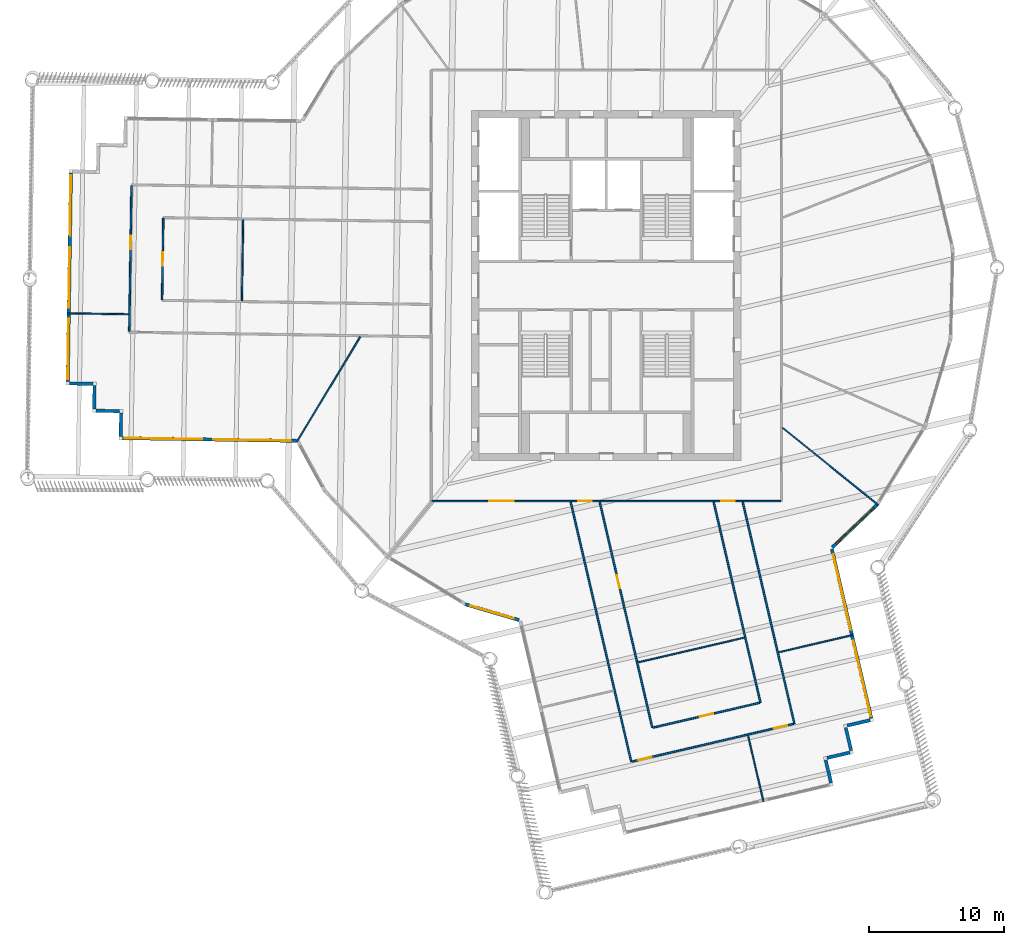
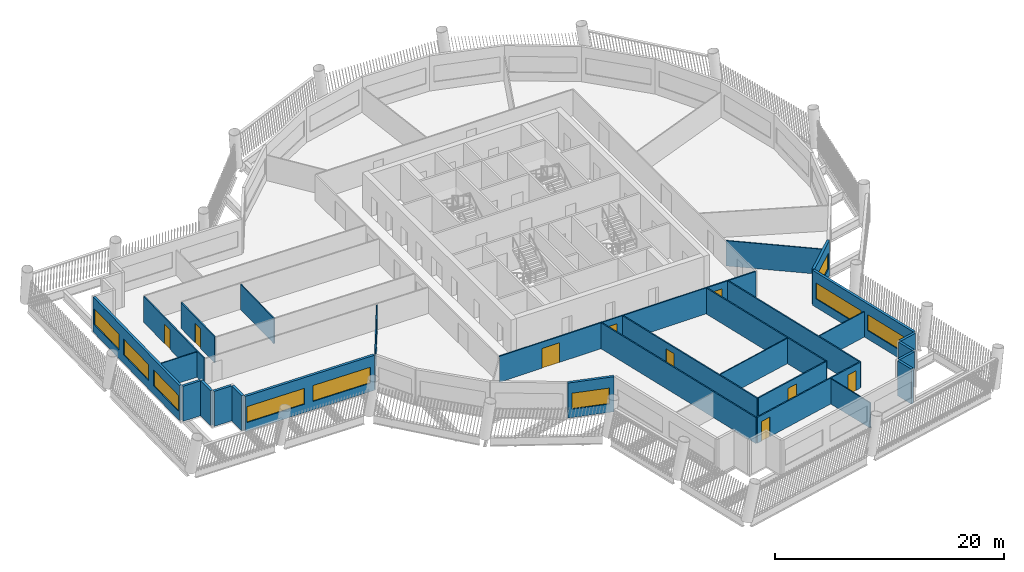
# One storey, part 3 of 15: 29 walls, 9 doors, 9 windows, 18 openings.
"""IFC4 building model written with IfcOpenShell, lengths in metres."""

from ifc_helpers import new_model, si_unit, direction, frame, frame_2d, origin, place, context, subcontext, project, spatial, rectangle, extrude, material, layer, layer_set, type_object, element, fill, save


model = new_model("IFC4")

# Units and contexts
model_context = context("Model", 3, precision=1e-05, world=origin(), true_north=direction((0.0, 1.0)))
body_context = subcontext(model_context, "Body", "Model", "MODEL_VIEW")
ifc_project = project(units=[si_unit("LENGTHUNIT", "METRE"), si_unit("AREAUNIT", "SQUARE_METRE"), si_unit("VOLUMEUNIT", "CUBIC_METRE"), si_unit("PLANEANGLEUNIT", "RADIAN"), si_unit("MASSUNIT", "GRAM", prefix="KILO")], contexts=[model_context])

# Site, building, storey
site_placement = place(None, origin())
site = spatial("IfcSite", under=ifc_project, at=site_placement, CompositionType="ELEMENT")
building_placement = place(site_placement, origin())
building = spatial("IfcBuilding", under=site, at=building_placement, Name="Tarsis Ring Headquarters", CompositionType="ELEMENT")
storey_placement = place(building_placement, frame((0.0, 0.0, 282.5)))
storey = spatial("IfcBuildingStorey", under=building, at=storey_placement, Name="L66", CompositionType="ELEMENT", Elevation=282.5)

# Walls
ifc_material_1 = material(Name="Gypsum board on steel studs", Category="steel")
ifc_layer_1 = layer(ifc_material_1, 0.10009765625)
ifc_layer_set_1 = layer_set([ifc_layer_1], Name="FL partition 100 unrated")
wall_type_1 = type_object("IfcWallType", Name="FL partition 100 unrated", PredefinedType="PARTITIONING", material=ifc_layer_set_1)
wall_1_placement = place(storey_placement, frame((13.085693359375, -10.55126953125, 0.0), z_axis=(0.0, 0.0, 1.0), x_axis=(0.778470310306, -0.62768142873, 0.0)))
element("IfcWall", 1, at=wall_1_placement, inside=storey, type_object=wall_type_1, Name="Partition PW3", PredefinedType="PARTITIONING", context=body_context, shape_type="SweptSolid", body=[
    extrude(rectangle(XDim=9.13818359375, YDim=0.10009765625, at=frame_2d((4.569091796875, 0.0))), origin(), (0.0, 0.0, 1.0), 2.699951171875),
])
wall_2_placement = place(storey_placement, frame((-22.959716796875, -11.57373046875, 0.0), z_axis=(0.0, 0.0, 1.0), x_axis=(0.516980237216, 0.855997333131, 0.0)))
element("IfcWall", 2, at=wall_2_placement, inside=storey, type_object=wall_type_1, Name="Partition PW3", PredefinedType="PARTITIONING", context=body_context, shape_type="SweptSolid", body=[
    extrude(rectangle(XDim=9.081787109375, YDim=0.10009765625, at=frame_2d((4.541015625, 0.0))), origin(), (0.0, 0.0, 1.0), 2.699951171875),
])
wall_3_placement = place(storey_placement, frame((2.361572265625, -27.97412109375, 0.0), z_axis=(0.0, 0.0, 1.0), x_axis=(0.973896096305, 0.226994258961, 0.0)))
element("IfcWall", 3, at=wall_3_placement, inside=storey, type_object=wall_type_1, Name="Partition PW3", PredefinedType="PARTITIONING", context=body_context, shape_type="SweptSolid", body=[
    extrude(rectangle(XDim=8.099853515625, YDim=0.10009765625, at=frame_2d((4.0498046875, 0.0))), origin(), (0.0, 0.0, 1.0), 2.699951171875),
])
wall_4_placement = place(storey_placement, frame((-27.05029296875, -1.11474609375, 0.0), z_axis=(0.0, 0.0, 1.0), x_axis=(0.015340236806, 0.999882331644, 0.0)))
element("IfcWall", 4, at=wall_4_placement, inside=storey, type_object=wall_type_1, Name="Partition PW3", PredefinedType="PARTITIONING", context=body_context, shape_type="SweptSolid", body=[
    extrude(rectangle(XDim=6.0, YDim=0.10009765625, at=frame_2d((3.0, 0.0))), origin(), (0.0, 0.0, 1.0), 2.699951171875),
])
wall_5_placement = place(storey_placement, frame((12.803955078125, -27.224365234375, 0.0), z_axis=(0.0, 0.0, 1.0), x_axis=(0.973890820733, 0.227016892086, 0.0)))
element("IfcWall", 5, at=wall_5_placement, inside=storey, type_object=wall_type_1, Name="Partition PW3", PredefinedType="PARTITIONING", context=body_context, shape_type="SweptSolid", body=[
    extrude(rectangle(XDim=5.659912109375, YDim=0.10009765625, at=frame_2d((2.830078125, 0.0))), origin(), (0.0, 0.0, 1.0), 2.699951171875),
])
wall_6_placement = place(storey_placement, frame((10.52685546875, -33.40234375, 0.0), z_axis=(0.0, 0.0, 1.0), x_axis=(0.227007127529, -0.973893096829, 0.0)))
element("IfcWall", 6, at=wall_6_placement, inside=storey, type_object=wall_type_1, Name="Partition PW3", PredefinedType="PARTITIONING", context=body_context, shape_type="SweptSolid", body=[
    extrude(rectangle(XDim=5.030029296875, YDim=0.10009765625, at=frame_2d((2.51513671875, 0.0))), origin(), (0.0, 0.0, 1.0), 2.699951171875),
])
wall_7_placement = place(storey_placement, frame((-39.986328125, -2.05615234375, 0.0), z_axis=(0.0, 0.0, 1.0), x_axis=(0.999882341489, -0.015339595127, 0.0)))
element("IfcWall", 7, at=wall_7_placement, inside=storey, type_object=wall_type_1, Name="Partition PW3", PredefinedType="PARTITIONING", context=body_context, shape_type="SweptSolid", body=[
    extrude(rectangle(XDim=4.52001953125, YDim=0.10009765625, at=frame_2d((2.260009765625, 0.0))), origin(), (0.0, 0.0, 1.0), 2.699951171875),
])

# Wall, openings, doors
ifc_layer_2 = layer(ifc_material_1, 0.125)
ifc_layer_set_2 = layer_set([ifc_layer_2], Name="FL partition 125 EI 60 H2770")
wall_type_2 = type_object("IfcWallType", Name="FL partition 125 EI 60 H2770", PredefinedType="PARTITIONING", material=ifc_layer_set_2)
wall_8_placement = place(storey_placement, frame((-12.93994140625, -16.0, 0.0), z_axis=(0.0, 0.0, 1.0), x_axis=(1.0, 0.0, 0.0)))
wall_8 = element("IfcWall", 8, at=wall_8_placement, inside=storey, type_object=wall_type_2, Name="Partition PW1", PredefinedType="PARTITIONING", context=body_context, shape_type="SweptSolid", body=[
    extrude(rectangle(XDim=25.8798828125, YDim=0.125, at=frame_2d((12.93994140625, 0.0))), origin(), (0.0, 0.0, 1.0), 2.77001953125),
])
opening_1_placement = place(wall_8_placement, frame((4.2607421875, 0.0, 0.0)))
opening_1 = element("IfcOpeningElement", 9, at=opening_1_placement, cuts=wall_8, Name="Opening D66.12", PredefinedType="OPENING", context=body_context, shape_type="SweptSolid", body=[
    extrude(rectangle(XDim=1.800048828125, YDim=2.10009765625, at=frame_2d((0.89990234375, 1.050048828125))), frame((0.0, 0.072509765625, 0.0), z_axis=(0.0, -1.0, 0.0), x_axis=(1.0, 0.0, 0.0)), (0.0, 0.0, 1.0), 0.14501953125),
])
opening_2_placement = place(wall_8_placement, frame((10.860595703125, 0.0, 0.0)))
opening_2 = element("IfcOpeningElement", 10, at=opening_2_placement, cuts=wall_8, Name="Opening D66.18", PredefinedType="OPENING", context=body_context, shape_type="SweptSolid", body=[
    extrude(rectangle(XDim=1.0, YDim=2.10009765625, at=frame_2d((0.5, 1.050048828125))), frame((0.0, 0.072509765625, 0.0), z_axis=(0.0, -1.0, 0.0), x_axis=(1.0, 0.0, 0.0)), (0.0, 0.0, 1.0), 0.14501953125),
])
opening_3_placement = place(wall_8_placement, frame((21.477783203125, 0.0, 0.0)))
opening_3 = element("IfcOpeningElement", 11, at=opening_3_placement, cuts=wall_8, Name="Opening D66.19", PredefinedType="OPENING", context=body_context, shape_type="SweptSolid", body=[
    extrude(rectangle(XDim=1.0, YDim=2.10009765625, at=frame_2d((0.5, 1.050048828125))), frame((0.0, 0.072509765625, 0.0), z_axis=(0.0, -1.0, 0.0), x_axis=(1.0, 0.0, 0.0)), (0.0, 0.0, 1.0), 0.14501953125),
])
ifc_material_2 = material(Name="Fire-rated timber door leaf in steel frame", Category="steel")
door_type_1 = type_object("IfcDoorType", Name="FL door FD60-1000", OperationType="NOTDEFINED", PredefinedType="DOOR", material=ifc_material_2)
door_1_placement = place(opening_2_placement, origin())
door_1 = element("IfcDoor", 12, at=door_1_placement, inside=storey, type_object=door_type_1, Name="Door D66.18", OperationType="SINGLE_SWING_RIGHT", OverallHeight=2.10009765625, OverallWidth=1.0, PredefinedType="DOOR", context=body_context, shape_type="SweptSolid", body=[
    extrude(rectangle(XDim=1.0, YDim=2.10009765625, at=frame_2d((0.5, 1.050048828125))), frame((0.0, 0.02490234375, 0.0), z_axis=(0.0, -1.0, 0.0), x_axis=(1.0, 0.0, 0.0)), (0.0, 0.0, 1.0), 0.050048828125),
])
fill(opening_2, door_1)
door_2_placement = place(opening_3_placement, origin())
door_2 = element("IfcDoor", 13, at=door_2_placement, inside=storey, type_object=door_type_1, Name="Door D66.19", OperationType="SINGLE_SWING_LEFT", OverallHeight=2.10009765625, OverallWidth=1.0, PredefinedType="DOOR", context=body_context, shape_type="SweptSolid", body=[
    extrude(rectangle(XDim=1.0, YDim=2.10009765625, at=frame_2d((0.5, 1.050048828125))), frame((0.0, 0.02490234375, 0.0), z_axis=(0.0, -1.0, 0.0), x_axis=(1.0, 0.0, 0.0)), (0.0, 0.0, 1.0), 0.050048828125),
])
fill(opening_3, door_2)
door_type_2 = type_object("IfcDoorType", Name="FL door FD60-1800", OperationType="DOUBLE_DOOR_SINGLE_SWING", PredefinedType="DOOR", material=ifc_material_2)
door_3_placement = place(opening_1_placement, origin())
door_3 = element("IfcDoor", 14, at=door_3_placement, inside=storey, type_object=door_type_2, Name="Door D66.12", OperationType="DOUBLE_DOOR_SINGLE_SWING", OverallHeight=2.10009765625, OverallWidth=1.800048828125, PredefinedType="DOOR", context=body_context, shape_type="SweptSolid", body=[
    extrude(rectangle(XDim=1.800048828125, YDim=2.10009765625, at=frame_2d((0.89990234375, 1.050048828125))), frame((0.0, 0.02490234375, 0.0), z_axis=(0.0, -1.0, 0.0), x_axis=(1.0, 0.0, 0.0)), (0.0, 0.0, 1.0), 0.050048828125),
])
fill(opening_1, door_3)

# Wall
wall_9_placement = place(storey_placement, frame((-2.6416015625, -16.068115234375, 0.0), z_axis=(0.0, 0.0, 1.0), x_axis=(0.226989511135, -0.973897202909, 0.0)))
element("IfcWall", 15, at=wall_9_placement, inside=storey, type_object=wall_type_2, Name="Partition PW1", PredefinedType="PARTITIONING", context=body_context, shape_type="SweptSolid", body=[
    extrude(rectangle(XDim=19.801025390625, YDim=0.125, at=frame_2d((9.900390625, 0.0))), origin(), (0.0, 0.0, 1.0), 2.77001953125),
])

# Wall, opening, door
wall_10_placement = place(storey_placement, frame((-0.4853515625, -16.068115234375, 0.0), z_axis=(0.0, 0.0, 1.0), x_axis=(0.226984775316, -0.973898306691, 0.0)))
wall_10 = element("IfcWall", 16, at=wall_10_placement, inside=storey, type_object=wall_type_2, Name="Partition PW1", PredefinedType="PARTITIONING", context=body_context, shape_type="SweptSolid", body=[
    extrude(rectangle(XDim=17.21142578125, YDim=0.125, at=frame_2d((8.605712890625, 0.0))), origin(), (0.0, 0.0, 1.0), 2.77001953125),
])
opening_4_placement = place(wall_10_placement, frame((5.585693359375, 0.0, 0.0)))
opening_4 = element("IfcOpeningElement", 17, at=opening_4_placement, cuts=wall_10, Name="Opening D66.16", PredefinedType="OPENING", context=body_context, shape_type="SweptSolid", body=[
    extrude(rectangle(XDim=1.0, YDim=2.10009765625, at=frame_2d((0.5, 1.050048828125))), frame((0.0, 0.072509765625, 0.0), z_axis=(0.0, -1.0, 0.0), x_axis=(1.0, 0.0, 0.0)), (0.0, 0.0, 1.0), 0.14501953125),
])
door_4_placement = place(opening_4_placement, origin())
door_4 = element("IfcDoor", 18, at=door_4_placement, inside=storey, type_object=door_type_1, Name="Door D66.16", OperationType="SINGLE_SWING_RIGHT", OverallHeight=2.10009765625, OverallWidth=1.0, PredefinedType="DOOR", context=body_context, shape_type="SweptSolid", body=[
    extrude(rectangle(XDim=1.0, YDim=2.10009765625, at=frame_2d((0.5, 1.050048828125))), frame((0.0, 0.02490234375, 0.0), z_axis=(0.0, -1.0, 0.0), x_axis=(1.0, 0.0, 0.0)), (0.0, 0.0, 1.0), 0.050048828125),
])
fill(opening_4, door_4)

# Walls
wall_11_placement = place(storey_placement, frame((10.1318359375, -16.068115234375, 0.0), z_axis=(0.0, 0.0, 1.0), x_axis=(0.2269889599, -0.973897331387, 0.0)))
element("IfcWall", 19, at=wall_11_placement, inside=storey, type_object=wall_type_2, Name="Partition PW1", PredefinedType="PARTITIONING", context=body_context, shape_type="SweptSolid", body=[
    extrude(rectangle(XDim=16.9013671875, YDim=0.125, at=frame_2d((8.45068359375, 0.0))), origin(), (0.0, 0.0, 1.0), 2.77001953125),
])
wall_12_placement = place(storey_placement, frame((7.9755859375, -16.068115234375, 0.0), z_axis=(0.0, 0.0, 1.0), x_axis=(0.2269777467, -0.973899944811, 0.0)))
element("IfcWall", 20, at=wall_12_placement, inside=storey, type_object=wall_type_2, Name="Partition PW1", PredefinedType="PARTITIONING", context=body_context, shape_type="SweptSolid", body=[
    extrude(rectangle(XDim=15.291015625, YDim=0.125, at=frame_2d((7.6455078125, 0.0))), origin(), (0.0, 0.0, 1.0), 2.77001953125),
])

# Wall, openings, doors
wall_13_placement = place(storey_placement, frame((1.911376953125, -35.338623046875, 0.0), z_axis=(0.0, 0.0, 1.0), x_axis=(0.973895556823, 0.226996573544, 0.0)))
wall_13 = element("IfcWall", 21, at=wall_13_placement, inside=storey, type_object=wall_type_2, Name="Partition PW1", PredefinedType="PARTITIONING", context=body_context, shape_type="SweptSolid", body=[
    extrude(rectangle(XDim=12.320068359375, YDim=0.125, at=frame_2d((6.16015625, 0.0))), origin(), (0.0, 0.0, 1.0), 2.77001953125),
])
opening_5_placement = place(wall_13_placement, frame((10.830078125, 0.0, 0.0)))
opening_5 = element("IfcOpeningElement", 22, at=opening_5_placement, cuts=wall_13, Name="Opening D66.10", PredefinedType="OPENING", context=body_context, shape_type="SweptSolid", body=[
    extrude(rectangle(XDim=1.0, YDim=2.10009765625, at=frame_2d((0.5, 1.050048828125))), frame((0.0, 0.072509765625, 0.0), z_axis=(0.0, -1.0, 0.0), x_axis=(1.0, 0.0, 0.0)), (0.0, 0.0, 1.0), 0.14501953125),
])
opening_6_placement = place(wall_13_placement, frame((0.489990234375, 0.0, 0.0)))
opening_6 = element("IfcOpeningElement", 23, at=opening_6_placement, cuts=wall_13, Name="Opening D66.11", PredefinedType="OPENING", context=body_context, shape_type="SweptSolid", body=[
    extrude(rectangle(XDim=1.0, YDim=2.10009765625, at=frame_2d((0.5, 1.050048828125))), frame((0.0, 0.072509765625, 0.0), z_axis=(0.0, -1.0, 0.0), x_axis=(1.0, 0.0, 0.0)), (0.0, 0.0, 1.0), 0.14501953125),
])
door_5_placement = place(opening_5_placement, origin())
door_5 = element("IfcDoor", 24, at=door_5_placement, inside=storey, type_object=door_type_1, Name="Door D66.10", OperationType="SINGLE_SWING_RIGHT", OverallHeight=2.10009765625, OverallWidth=1.0, PredefinedType="DOOR", context=body_context, shape_type="SweptSolid", body=[
    extrude(rectangle(XDim=1.0, YDim=2.10009765625, at=frame_2d((0.5, 1.050048828125))), frame((0.0, 0.02490234375, 0.0), z_axis=(0.0, -1.0, 0.0), x_axis=(1.0, 0.0, 0.0)), (0.0, 0.0, 1.0), 0.050048828125),
])
fill(opening_5, door_5)
door_6_placement = place(opening_6_placement, origin())
door_6 = element("IfcDoor", 25, at=door_6_placement, inside=storey, type_object=door_type_1, Name="Door D66.11", OperationType="SINGLE_SWING_LEFT", OverallHeight=2.10009765625, OverallWidth=1.0, PredefinedType="DOOR", context=body_context, shape_type="SweptSolid", body=[
    extrude(rectangle(XDim=1.0, YDim=2.10009765625, at=frame_2d((0.5, 1.050048828125))), frame((0.0, 0.02490234375, 0.0), z_axis=(0.0, -1.0, 0.0), x_axis=(1.0, 0.0, 0.0)), (0.0, 0.0, 1.0), 0.050048828125),
])
fill(opening_6, door_6)

# Wall, opening, door
wall_14_placement = place(storey_placement, frame((-35.416259765625, -3.396484375, 0.0), z_axis=(0.0, 0.0, 1.0), x_axis=(0.015343231355, 0.999882285697, 0.0)))
wall_14 = element("IfcWall", 26, at=wall_14_placement, inside=storey, type_object=wall_type_2, Name="Partition PW1", PredefinedType="PARTITIONING", context=body_context, shape_type="SweptSolid", body=[
    extrude(rectangle(XDim=10.820068359375, YDim=0.125, at=frame_2d((5.41015625, 0.0))), origin(), (0.0, 0.0, 1.0), 2.77001953125),
])
opening_7_placement = place(wall_14_placement, frame((6.110107421875, 0.0, 0.0)))
opening_7 = element("IfcOpeningElement", 27, at=opening_7_placement, cuts=wall_14, Name="Opening D66.02", PredefinedType="OPENING", context=body_context, shape_type="SweptSolid", body=[
    extrude(rectangle(XDim=1.0, YDim=2.10009765625, at=frame_2d((0.5, 1.050048828125))), frame((0.0, 0.072509765625, 0.0), z_axis=(0.0, -1.0, 0.0), x_axis=(1.0, 0.0, 0.0)), (0.0, 0.0, 1.0), 0.14501953125),
])
door_7_placement = place(opening_7_placement, origin())
door_7 = element("IfcDoor", 28, at=door_7_placement, inside=storey, type_object=door_type_1, Name="Door D66.02", OperationType="SINGLE_SWING_RIGHT", OverallHeight=2.10009765625, OverallWidth=1.0, PredefinedType="DOOR", context=body_context, shape_type="SweptSolid", body=[
    extrude(rectangle(XDim=1.0, YDim=2.10009765625, at=frame_2d((0.5, 1.050048828125))), frame((0.0, 0.02490234375, 0.0), z_axis=(0.0, -1.0, 0.0), x_axis=(1.0, 0.0, 0.0)), (0.0, 0.0, 1.0), 0.050048828125),
])
fill(opening_7, door_7)

wall_15_placement = place(storey_placement, frame((3.47998046875, -32.816650390625, 0.0), z_axis=(0.0, 0.0, 1.0), x_axis=(0.973893745145, 0.227004346141, 0.0)))
wall_15 = element("IfcWall", 29, at=wall_15_placement, inside=storey, type_object=wall_type_2, Name="Partition PW1", PredefinedType="PARTITIONING", context=body_context, shape_type="SweptSolid", body=[
    extrude(rectangle(XDim=8.119873046875, YDim=0.125, at=frame_2d((4.06005859375, 0.0))), origin(), (0.0, 0.0, 1.0), 2.77001953125),
])
opening_8_placement = place(wall_15_placement, frame((3.56005859375, 0.0, 0.0)))
opening_8 = element("IfcOpeningElement", 30, at=opening_8_placement, cuts=wall_15, Name="Opening D66.17", PredefinedType="OPENING", context=body_context, shape_type="SweptSolid", body=[
    extrude(rectangle(XDim=1.0, YDim=2.10009765625, at=frame_2d((0.5, 1.050048828125))), frame((0.0, 0.072509765625, 0.0), z_axis=(0.0, -1.0, 0.0), x_axis=(1.0, 0.0, 0.0)), (0.0, 0.0, 1.0), 0.14501953125),
])
door_8_placement = place(opening_8_placement, origin())
door_8 = element("IfcDoor", 31, at=door_8_placement, inside=storey, type_object=door_type_1, Name="Door D66.17", OperationType="SINGLE_SWING_LEFT", OverallHeight=2.10009765625, OverallWidth=1.0, PredefinedType="DOOR", context=body_context, shape_type="SweptSolid", body=[
    extrude(rectangle(XDim=1.0, YDim=2.10009765625, at=frame_2d((0.5, 1.050048828125))), frame((0.0, 0.02490234375, 0.0), z_axis=(0.0, -1.0, 0.0), x_axis=(1.0, 0.0, 0.0)), (0.0, 0.0, 1.0), 0.050048828125),
])
fill(opening_8, door_8)

wall_16_placement = place(storey_placement, frame((-32.979736328125, -1.03369140625, 0.0), z_axis=(0.0, 0.0, 1.0), x_axis=(0.015370319554, 0.999881869661, 0.0)))
wall_16 = element("IfcWall", 32, at=wall_16_placement, inside=storey, type_object=wall_type_2, Name="Partition PW1", PredefinedType="PARTITIONING", context=body_context, shape_type="SweptSolid", body=[
    extrude(rectangle(XDim=6.02001953125, YDim=0.125, at=frame_2d((3.010009765625, 0.0))), origin(), (0.0, 0.0, 1.0), 2.77001953125),
])
opening_9_placement = place(wall_16_placement, frame((2.510009765625, 0.0, 0.0)))
opening_9 = element("IfcOpeningElement", 33, at=opening_9_placement, cuts=wall_16, Name="Opening D66.15", PredefinedType="OPENING", context=body_context, shape_type="SweptSolid", body=[
    extrude(rectangle(XDim=1.0, YDim=2.10009765625, at=frame_2d((0.5, 1.050048828125))), frame((0.0, 0.072509765625, 0.0), z_axis=(0.0, -1.0, 0.0), x_axis=(1.0, 0.0, 0.0)), (0.0, 0.0, 1.0), 0.14501953125),
])
door_9_placement = place(opening_9_placement, origin())
door_9 = element("IfcDoor", 34, at=door_9_placement, inside=storey, type_object=door_type_1, Name="Door D66.15", OperationType="SINGLE_SWING_LEFT", OverallHeight=2.10009765625, OverallWidth=1.0, PredefinedType="DOOR", context=body_context, shape_type="SweptSolid", body=[
    extrude(rectangle(XDim=1.0, YDim=2.10009765625, at=frame_2d((0.5, 1.050048828125))), frame((0.0, 0.02490234375, 0.0), z_axis=(0.0, -1.0, 0.0), x_axis=(1.0, 0.0, 0.0)), (0.0, 0.0, 1.0), 0.050048828125),
])
fill(opening_9, door_9)

# Wall, openings, windows
ifc_material_3 = material(Name="Terracotta clad insulated panel wall", Category="masonry")
ifc_layer_3 = layer(ifc_material_3, 0.25)
ifc_layer_set_3 = layer_set([ifc_layer_3], Name="Facade wall terracotta panel 250")
wall_type_3 = type_object("IfcWallType", Name="Facade wall terracotta panel 250", PredefinedType="STANDARD", material=ifc_layer_set_3)
wall_17_placement = place(storey_placement, frame((-35.92822265625, -11.324462890625, 0.0), z_axis=(0.0, 0.0, 1.0), x_axis=(0.999882021808, -0.0153604188, 0.0)))
wall_17 = element("IfcWall", 35, at=wall_17_placement, inside=storey, type_object=wall_type_3, Name="External wall L66-01", PredefinedType="STANDARD", context=body_context, shape_type="SweptSolid", body=[
    extrude(rectangle(XDim=12.921875, YDim=0.25, at=frame_2d((6.4609375, 0.0))), origin(), (0.0, 0.0, 1.0), 3.739990234375),
])
opening_10_placement = place(wall_17_placement, frame((0.16796875, 0.0, 0.89990234375)))
opening_10 = element("IfcOpeningElement", 36, at=opening_10_placement, cuts=wall_17, Name="Opening WN06", PredefinedType="OPENING", context=body_context, shape_type="SweptSolid", body=[
    extrude(rectangle(XDim=5.75, YDim=1.699951171875, at=frame_2d((2.875, 0.85009765625))), frame((0.0, 0.135009765625, 0.0), z_axis=(0.0, -1.0, 0.0), x_axis=(1.0, 0.0, 0.0)), (0.0, 0.0, 1.0), 0.27001953125),
])
opening_11_placement = place(wall_17_placement, frame((6.75390625, 0.0, 0.89990234375)))
opening_11 = element("IfcOpeningElement", 37, at=opening_11_placement, cuts=wall_17, Name="Opening WN06", PredefinedType="OPENING", context=body_context, shape_type="SweptSolid", body=[
    extrude(rectangle(XDim=5.75, YDim=1.699951171875, at=frame_2d((2.875, 0.85009765625))), frame((0.0, 0.135009765625, 0.0), z_axis=(0.0, -1.0, 0.0), x_axis=(1.0, 0.0, 0.0)), (0.0, 0.0, 1.0), 0.27001953125),
])
ifc_material_4 = material(Name="Aluminium framed double glazing", Category="aluminium")
window_type_1 = type_object("IfcWindowType", Name="Facade window 5750 x 1700", PartitioningType="SINGLE_PANEL", PredefinedType="WINDOW", material=ifc_material_4)
window_1_placement = place(opening_10_placement, origin())
window_1 = element("IfcWindow", 38, at=window_1_placement, inside=storey, type_object=window_type_1, Name="Window L66-01.1", OverallHeight=1.699951171875, OverallWidth=5.75, PartitioningType="SINGLE_PANEL", PredefinedType="WINDOW", context=body_context, shape_type="SweptSolid", body=[
    extrude(rectangle(XDim=5.75, YDim=1.699951171875, at=frame_2d((2.875, 0.85009765625))), frame((0.0, 0.030029296875, 0.0), z_axis=(0.0, -1.0, 0.0), x_axis=(1.0, 0.0, 0.0)), (0.0, 0.0, 1.0), 0.06005859375),
])
fill(opening_10, window_1)
window_2_placement = place(opening_11_placement, origin())
window_2 = element("IfcWindow", 39, at=window_2_placement, inside=storey, type_object=window_type_1, Name="Window L66-01.2", OverallHeight=1.699951171875, OverallWidth=5.75, PartitioningType="SINGLE_PANEL", PredefinedType="WINDOW", context=body_context, shape_type="SweptSolid", body=[
    extrude(rectangle(XDim=5.75, YDim=1.699951171875, at=frame_2d((2.875, 0.85009765625))), frame((0.0, 0.030029296875, 0.0), z_axis=(0.0, -1.0, 0.0), x_axis=(1.0, 0.0, 0.0)), (0.0, 0.0, 1.0), 0.06005859375),
])
fill(opening_11, window_2)

# Wall, opening, window
wall_18_placement = place(storey_placement, frame((-10.45849609375, -23.66357421875, 0.0), z_axis=(0.0, 0.0, 1.0), x_axis=(0.959401961116, -0.28204233194, 0.0)))
wall_18 = element("IfcWall", 40, at=wall_18_placement, inside=storey, type_object=wall_type_3, Name="External wall L66-05", PredefinedType="STANDARD", context=body_context, shape_type="SweptSolid", body=[
    extrude(rectangle(XDim=4.157470703125, YDim=0.25, at=frame_2d((2.07861328125, 0.0))), origin(), (0.0, 0.0, 1.0), 3.739990234375),
])
opening_12_placement = place(wall_18_placement, frame((0.38720703125, 0.0, 0.89990234375)))
opening_12 = element("IfcOpeningElement", 41, at=opening_12_placement, cuts=wall_18, Name="Opening WN01", PredefinedType="OPENING", context=body_context, shape_type="SweptSolid", body=[
    extrude(rectangle(XDim=3.35009765625, YDim=1.699951171875, at=frame_2d((1.675048828125, 0.85009765625))), frame((0.0, 0.135009765625, 0.0), z_axis=(0.0, -1.0, 0.0), x_axis=(1.0, 0.0, 0.0)), (0.0, 0.0, 1.0), 0.27001953125),
])
window_type_2 = type_object("IfcWindowType", Name="Facade window 3350 x 1700", PartitioningType="SINGLE_PANEL", PredefinedType="WINDOW", material=ifc_material_4)
window_3_placement = place(opening_12_placement, origin())
window_3 = element("IfcWindow", 42, at=window_3_placement, inside=storey, type_object=window_type_2, Name="Window L66-05.1", OverallHeight=1.699951171875, OverallWidth=3.35009765625, PartitioningType="SINGLE_PANEL", PredefinedType="WINDOW", context=body_context, shape_type="SweptSolid", body=[
    extrude(rectangle(XDim=3.35009765625, YDim=1.699951171875, at=frame_2d((1.675048828125, 0.85009765625))), frame((0.0, 0.030029296875, 0.0), z_axis=(0.0, -1.0, 0.0), x_axis=(1.0, 0.0, 0.0)), (0.0, 0.0, 1.0), 0.06005859375),
])
fill(opening_12, window_3)

# Walls
for number, where, z_axis, x_axis, name in (
    (43, (16.6923828125, -36.9248046875, 0.0), (0.0, 0.0, 1.0), (-0.22697823045, 0.973899832068, 0.0), "External wall L66-12"),
    (44, (16.388427734375, -35.0703125, 0.0), (0.0, 0.0, 1.0), (0.973899832068, 0.22697823045, 0.0), "External wall L66-13"),
):
    element("IfcWall", number, at=place(storey_placement, frame(where, z_axis=z_axis, x_axis=x_axis)), inside=storey, type_object=wall_type_3, Name=name, PredefinedType="STANDARD", context=body_context, shape_type="SweptSolid", body=[
        extrude(rectangle(XDim=1.75, YDim=0.25, at=frame_2d((0.875, 0.0))), origin(), (0.0, 0.0, 1.0), 3.739990234375),
    ])
wall_19_placement = place(storey_placement, frame((18.18603515625, -34.52294921875, 0.0), z_axis=(0.0, 0.0, 1.0), x_axis=(-0.227009073162, 0.973892643314, 0.0)))
element("IfcWall", 45, at=wall_19_placement, inside=storey, type_object=wall_type_3, Name="External wall L66-14", PredefinedType="STANDARD", context=body_context, shape_type="SweptSolid", body=[
    extrude(rectangle(XDim=1.749755859375, YDim=0.25, at=frame_2d((0.875, 0.0))), origin(), (0.0, 0.0, 1.0), 3.739990234375),
])
wall_20_placement = place(storey_placement, frame((17.88232421875, -32.668701171875, 0.0), z_axis=(0.0, 0.0, 1.0), x_axis=(0.973899832068, 0.22697823045, 0.0)))
element("IfcWall", 46, at=wall_20_placement, inside=storey, type_object=wall_type_3, Name="External wall L66-15", PredefinedType="STANDARD", context=body_context, shape_type="SweptSolid", body=[
    extrude(rectangle(XDim=1.75, YDim=0.25, at=frame_2d((0.875, 0.0))), origin(), (0.0, 0.0, 1.0), 3.739990234375),
])

# Wall, openings, windows
wall_21_placement = place(storey_placement, frame((19.679931640625, -32.121337890625, 0.0), z_axis=(0.0, 0.0, 1.0), x_axis=(-0.226987331995, 0.973897710806, 0.0)))
wall_21 = element("IfcWall", 47, at=wall_21_placement, inside=storey, type_object=wall_type_3, Name="External wall L66-16", PredefinedType="STANDARD", context=body_context, shape_type="SweptSolid", body=[
    extrude(rectangle(XDim=12.9013671875, YDim=0.25, at=frame_2d((6.45068359375, 0.0))), origin(), (0.0, 0.0, 1.0), 3.739990234375),
])
opening_13_placement = place(wall_21_placement, frame((0.162841796875, 0.0, 0.89990234375)))
opening_13 = element("IfcOpeningElement", 48, at=opening_13_placement, cuts=wall_21, Name="Opening WN06", PredefinedType="OPENING", context=body_context, shape_type="SweptSolid", body=[
    extrude(rectangle(XDim=5.75, YDim=1.699951171875, at=frame_2d((2.875, 0.85009765625))), frame((0.0, 0.135009765625, 0.0), z_axis=(0.0, -1.0, 0.0), x_axis=(1.0, 0.0, 0.0)), (0.0, 0.0, 1.0), 0.27001953125),
])
opening_14_placement = place(wall_21_placement, frame((6.738525390625, 0.0, 0.89990234375)))
opening_14 = element("IfcOpeningElement", 49, at=opening_14_placement, cuts=wall_21, Name="Opening WN06", PredefinedType="OPENING", context=body_context, shape_type="SweptSolid", body=[
    extrude(rectangle(XDim=5.75, YDim=1.699951171875, at=frame_2d((2.875, 0.85009765625))), frame((0.0, 0.135009765625, 0.0), z_axis=(0.0, -1.0, 0.0), x_axis=(1.0, 0.0, 0.0)), (0.0, 0.0, 1.0), 0.27001953125),
])
window_4_placement = place(opening_13_placement, origin())
window_4 = element("IfcWindow", 50, at=window_4_placement, inside=storey, type_object=window_type_1, Name="Window L66-16.1", OverallHeight=1.699951171875, OverallWidth=5.75, PartitioningType="SINGLE_PANEL", PredefinedType="WINDOW", context=body_context, shape_type="SweptSolid", body=[
    extrude(rectangle(XDim=5.75, YDim=1.699951171875, at=frame_2d((2.875, 0.85009765625))), frame((0.0, 0.030029296875, 0.0), z_axis=(0.0, -1.0, 0.0), x_axis=(1.0, 0.0, 0.0)), (0.0, 0.0, 1.0), 0.06005859375),
])
fill(opening_13, window_4)
window_5_placement = place(opening_14_placement, origin())
window_5 = element("IfcWindow", 51, at=window_5_placement, inside=storey, type_object=window_type_1, Name="Window L66-16.2", OverallHeight=1.699951171875, OverallWidth=5.75, PartitioningType="SINGLE_PANEL", PredefinedType="WINDOW", context=body_context, shape_type="SweptSolid", body=[
    extrude(rectangle(XDim=5.75, YDim=1.699951171875, at=frame_2d((2.875, 0.85009765625))), frame((0.0, 0.030029296875, 0.0), z_axis=(0.0, -1.0, 0.0), x_axis=(1.0, 0.0, 0.0)), (0.0, 0.0, 1.0), 0.06005859375),
])
fill(opening_14, window_5)

# Wall, opening, window
wall_22_placement = place(storey_placement, frame((16.786865234375, -19.43798828125, 0.0), z_axis=(0.0, 0.0, 1.0), x_axis=(0.723925417711, 0.689878242585, 0.0)))
wall_22 = element("IfcWall", 52, at=wall_22_placement, inside=storey, type_object=wall_type_3, Name="External wall L66-17", PredefinedType="STANDARD", context=body_context, shape_type="SweptSolid", body=[
    extrude(rectangle(XDim=4.617919921875, YDim=0.25, at=frame_2d((2.30908203125, 0.0))), origin(), (0.0, 0.0, 1.0), 3.739990234375),
])
opening_15_placement = place(wall_22_placement, frame((0.400390625, 0.0, 0.89990234375)))
opening_15 = element("IfcOpeningElement", 53, at=opening_15_placement, cuts=wall_22, Name="Opening WN02", PredefinedType="OPENING", context=body_context, shape_type="SweptSolid", body=[
    extrude(rectangle(XDim=3.85009765625, YDim=1.699951171875, at=frame_2d((1.925048828125, 0.85009765625))), frame((0.0, 0.135009765625, 0.0), z_axis=(0.0, -1.0, 0.0), x_axis=(1.0, 0.0, 0.0)), (0.0, 0.0, 1.0), 0.27001953125),
])
window_type_3 = type_object("IfcWindowType", Name="Facade window 3850 x 1700", PartitioningType="SINGLE_PANEL", PredefinedType="WINDOW", material=ifc_material_4)
window_6_placement = place(opening_15_placement, origin())
window_6 = element("IfcWindow", 54, at=window_6_placement, inside=storey, type_object=window_type_3, Name="Window L66-17.1", OverallHeight=1.699951171875, OverallWidth=3.85009765625, PartitioningType="SINGLE_PANEL", PredefinedType="WINDOW", context=body_context, shape_type="SweptSolid", body=[
    extrude(rectangle(XDim=3.85009765625, YDim=1.699951171875, at=frame_2d((1.925048828125, 0.85009765625))), frame((0.0, 0.030029296875, 0.0), z_axis=(0.0, -1.0, 0.0), x_axis=(1.0, 0.0, 0.0)), (0.0, 0.0, 1.0), 0.06005859375),
])
fill(opening_15, window_6)

# Wall, openings, windows
wall_23_placement = place(storey_placement, frame((-39.751220703125, 8.361572265625, 0.0), z_axis=(0.0, 0.0, 1.0), x_axis=(-0.015357115054, -0.999882072555, 0.0)))
wall_23 = element("IfcWall", 55, at=wall_23_placement, inside=storey, type_object=wall_type_3, Name="External wall L66-36", PredefinedType="STANDARD", context=body_context, shape_type="SweptSolid", body=[
    extrude(rectangle(XDim=15.5, YDim=0.25, at=frame_2d((7.75, 0.0))), origin(), (0.0, 0.0, 1.0), 3.739990234375),
])
opening_16_placement = place(wall_23_placement, frame((0.166748046875, 0.0, 0.89990234375)))
opening_16 = element("IfcOpeningElement", 56, at=opening_16_placement, cuts=wall_23, Name="Opening WN04", PredefinedType="OPENING", context=body_context, shape_type="SweptSolid", body=[
    extrude(rectangle(XDim=4.5, YDim=1.699951171875, at=frame_2d((2.25, 0.85009765625))), frame((0.0, 0.135009765625, 0.0), z_axis=(0.0, -1.0, 0.0), x_axis=(1.0, 0.0, 0.0)), (0.0, 0.0, 1.0), 0.27001953125),
])
opening_17_placement = place(wall_23_placement, frame((5.5, 0.0, 0.89990234375)))
opening_17 = element("IfcOpeningElement", 57, at=opening_17_placement, cuts=wall_23, Name="Opening WN04", PredefinedType="OPENING", context=body_context, shape_type="SweptSolid", body=[
    extrude(rectangle(XDim=4.5, YDim=1.699951171875, at=frame_2d((2.25, 0.85009765625))), frame((0.0, 0.135009765625, 0.0), z_axis=(0.0, -1.0, 0.0), x_axis=(1.0, 0.0, 0.0)), (0.0, 0.0, 1.0), 0.27001953125),
])
opening_18_placement = place(wall_23_placement, frame((10.833251953125, 0.0, 0.89990234375)))
opening_18 = element("IfcOpeningElement", 58, at=opening_18_placement, cuts=wall_23, Name="Opening WN04", PredefinedType="OPENING", context=body_context, shape_type="SweptSolid", body=[
    extrude(rectangle(XDim=4.5, YDim=1.699951171875, at=frame_2d((2.25, 0.85009765625))), frame((0.0, 0.135009765625, 0.0), z_axis=(0.0, -1.0, 0.0), x_axis=(1.0, 0.0, 0.0)), (0.0, 0.0, 1.0), 0.27001953125),
])
window_type_4 = type_object("IfcWindowType", Name="Facade window 4500 x 1700", PartitioningType="SINGLE_PANEL", PredefinedType="WINDOW", material=ifc_material_4)
window_7_placement = place(opening_16_placement, origin())
window_7 = element("IfcWindow", 59, at=window_7_placement, inside=storey, type_object=window_type_4, Name="Window L66-36.1", OverallHeight=1.699951171875, OverallWidth=4.5, PartitioningType="SINGLE_PANEL", PredefinedType="WINDOW", context=body_context, shape_type="SweptSolid", body=[
    extrude(rectangle(XDim=4.5, YDim=1.699951171875, at=frame_2d((2.25, 0.85009765625))), frame((0.0, 0.030029296875, 0.0), z_axis=(0.0, -1.0, 0.0), x_axis=(1.0, 0.0, 0.0)), (0.0, 0.0, 1.0), 0.06005859375),
])
fill(opening_16, window_7)
window_8_placement = place(opening_17_placement, origin())
window_8 = element("IfcWindow", 60, at=window_8_placement, inside=storey, type_object=window_type_4, Name="Window L66-36.2", OverallHeight=1.699951171875, OverallWidth=4.5, PartitioningType="SINGLE_PANEL", PredefinedType="WINDOW", context=body_context, shape_type="SweptSolid", body=[
    extrude(rectangle(XDim=4.5, YDim=1.699951171875, at=frame_2d((2.25, 0.85009765625))), frame((0.0, 0.030029296875, 0.0), z_axis=(0.0, -1.0, 0.0), x_axis=(1.0, 0.0, 0.0)), (0.0, 0.0, 1.0), 0.06005859375),
])
fill(opening_17, window_8)
window_9_placement = place(opening_18_placement, origin())
window_9 = element("IfcWindow", 61, at=window_9_placement, inside=storey, type_object=window_type_4, Name="Window L66-36.3", OverallHeight=1.699951171875, OverallWidth=4.5, PartitioningType="SINGLE_PANEL", PredefinedType="WINDOW", context=body_context, shape_type="SweptSolid", body=[
    extrude(rectangle(XDim=4.5, YDim=1.699951171875, at=frame_2d((2.25, 0.85009765625))), frame((0.0, 0.030029296875, 0.0), z_axis=(0.0, -1.0, 0.0), x_axis=(1.0, 0.0, 0.0)), (0.0, 0.0, 1.0), 0.06005859375),
])
fill(opening_18, window_9)

# Walls
for number, where, z_axis, x_axis, name in (
    (62, (-39.8662109375, -7.263671875, 0.0), (0.0, 0.0, 1.0), (0.99988223836, -0.015346315923, 0.0), "External wall L66-37"),
    (63, (-37.993408203125, -7.41748046875, 0.0), (0.0, 0.0, 1.0), (-0.015346315923, -0.99988223836, 0.0), "External wall L66-38"),
    (64, (-37.897216796875, -9.2939453125, 0.0), (0.0, 0.0, 1.0), (0.999880087894, -0.01548579458, 0.0), "External wall L66-39"),
):
    element("IfcWall", number, at=place(storey_placement, frame(where, z_axis=z_axis, x_axis=x_axis)), inside=storey, type_object=wall_type_3, Name=name, PredefinedType="STANDARD", context=body_context, shape_type="SweptSolid", body=[
        extrude(rectangle(XDim=1.75, YDim=0.25, at=frame_2d((0.875, 0.0))), origin(), (0.0, 0.0, 1.0), 3.739990234375),
    ])
wall_24_placement = place(storey_placement, frame((-36.0244140625, -9.44775390625, 0.0), z_axis=(0.0, 0.0, 1.0), x_axis=(-0.015344175479, -0.999882271209, 0.0)))
element("IfcWall", 65, at=wall_24_placement, inside=storey, type_object=wall_type_3, Name="External wall L66-40", PredefinedType="STANDARD", context=body_context, shape_type="SweptSolid", body=[
    extrude(rectangle(XDim=1.750244140625, YDim=0.25, at=frame_2d((0.875, 0.0))), origin(), (0.0, 0.0, 1.0), 3.739990234375),
])

save(model, "model.ifc")
